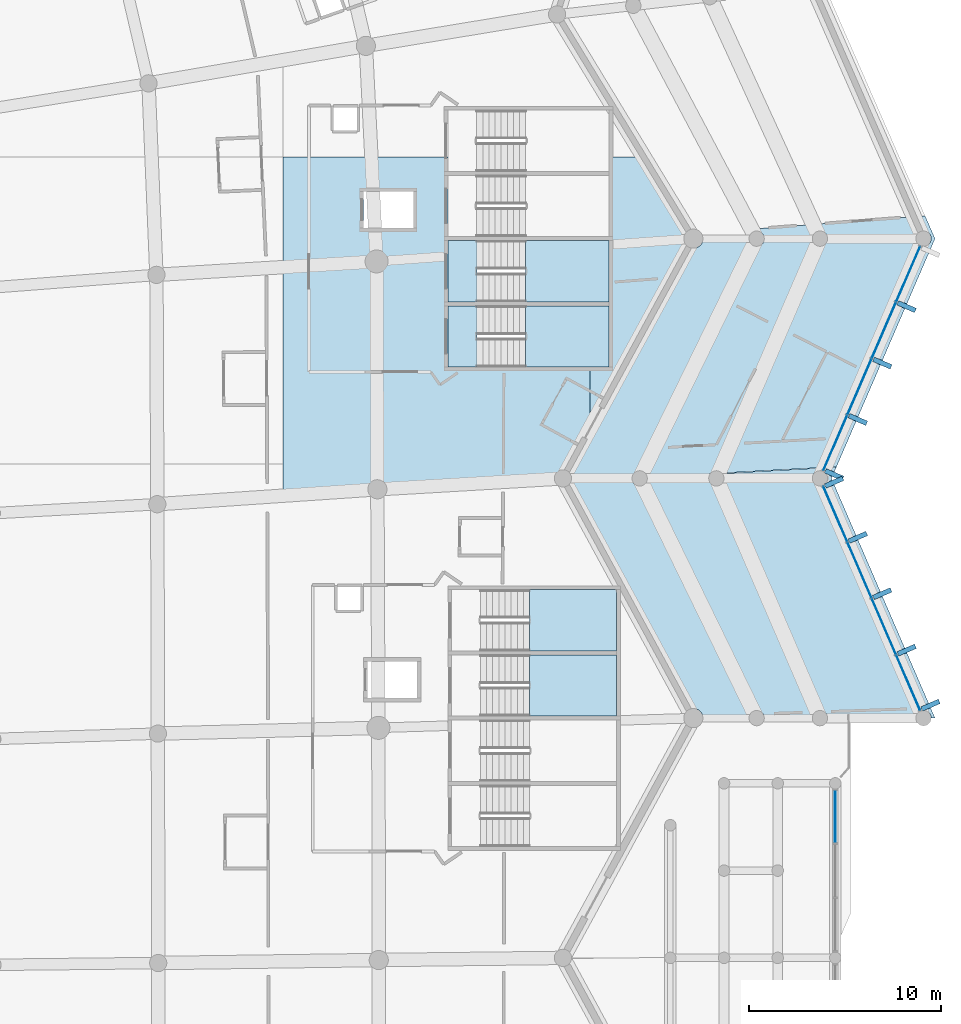
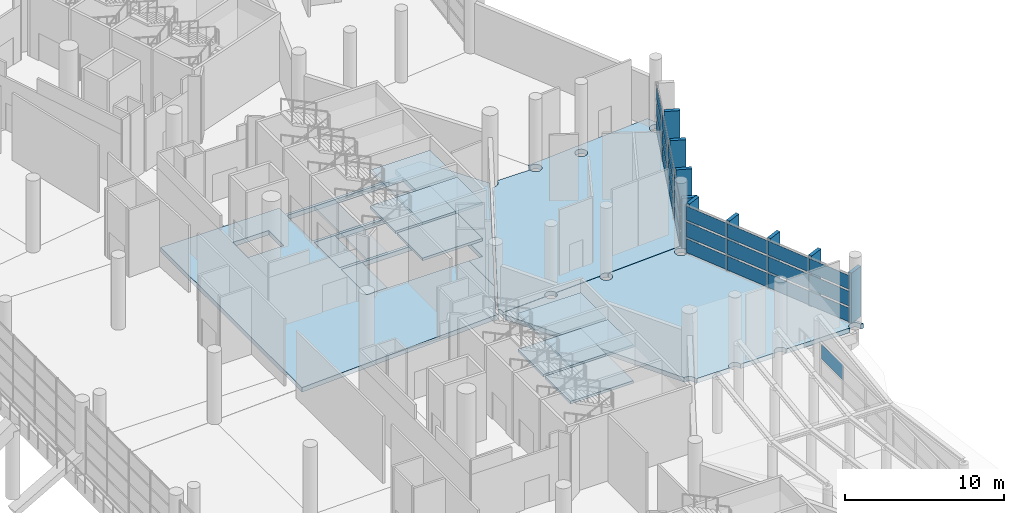
# One storey, part 150 of 271: 34 plates, 16 slabs, 7 elements without a shape of their own.
"""IFC4 building model written with IfcOpenShell, lengths in metres."""

import ifcopenshell
import ifcopenshell.guid

model = None  # the IFC model being written
_history = None  # IfcOwnerHistory: only IFC2X3 demands one
_inside = {}  # id of a spatial element -> (the spatial element, [elements in it])
_under = {}  # id of a project, library or spatial element -> (it, [spatial elements below it])
_declared = {}  # id of a project -> (the project, [libraries it declares])
_typed = {}  # id of a type object -> (the type object, [elements of that type])
_made_of = {}  # id of a material, layer set ... -> (it, [elements and type objects made of it])


def new_model(schema):
    """Start an empty IFC model of exactly this schema.

    Asked for "IFC4X3", IfcOpenShell would pick the latest addendum, in which some entities
    have other attributes; the version numbers below select the first issue.
    IFC2X3 requires an IfcOwnerHistory on every rooted entity: one is made here for all.
    """
    global model, _history
    if schema == "IFC4X3":
        model = ifcopenshell.file(schema_version=(4, 3, 0, 0))
    else:
        model = ifcopenshell.file(schema=schema)
    _inside.clear()
    _under.clear()
    _declared.clear()
    _typed.clear()
    _made_of.clear()
    _history = None
    if model.schema == "IFC2X3":
        org = make("IfcOrganization", Name="unknown")
        user = make(
            "IfcPersonAndOrganization",
            ThePerson=make("IfcPerson", FamilyName="unknown"),
            TheOrganization=org,
        )
        app = make(
            "IfcApplication",
            ApplicationDeveloper=org,
            Version="unknown",
            ApplicationFullName="unknown",
            ApplicationIdentifier="unknown",
        )
        _history = make(
            "IfcOwnerHistory",
            OwningUser=user,
            OwningApplication=app,
            ChangeAction="ADDED",
            CreationDate=0,
        )
    return model


def make(cls, **values):
    """One entity of the class cls with the attributes given. An attribute that is None is left unset."""
    return model.create_entity(
        cls, **{name: value for name, value in values.items() if value is not None}
    )


def rooted(cls, **values):
    """An entity with a GlobalId (a new one), such as an element, a storey or a relation."""
    return make(cls, GlobalId=ifcopenshell.guid.new(), OwnerHistory=_history, **values)


def si_unit(unit_type, name, prefix=None):
    """IfcSIUnit, for example si_unit("LENGTHUNIT", "METRE", prefix="MILLI")."""
    return make("IfcSIUnit", UnitType=unit_type, Prefix=prefix, Name=name)


def assignment(units):
    """IfcUnitAssignment: the units of a project."""
    return None if units is None else make("IfcUnitAssignment", Units=units)


def point(xyz):
    """IfcCartesianPoint."""
    return None if xyz is None else make("IfcCartesianPoint", Coordinates=xyz)


def direction(xyz):
    """IfcDirection."""
    return None if xyz is None else make("IfcDirection", DirectionRatios=xyz)


def frame(location, z_axis=None, x_axis=None):
    """IfcAxis2Placement3D, a coordinate frame: its origin and axes. An axis left out is left unset."""
    return make(
        "IfcAxis2Placement3D",
        Location=point(location),
        Axis=direction(z_axis),
        RefDirection=direction(x_axis),
    )


def frame_2d(location, x_axis=None):
    """IfcAxis2Placement2D, a coordinate frame in the plane: its origin and x axis."""
    return make(
        "IfcAxis2Placement2D", Location=point(location), RefDirection=direction(x_axis)
    )


def origin():
    """The frame at (0, 0, 0) with its axes left unset."""
    return frame((0.0, 0.0, 0.0))


def origin_2d():
    """The frame at (0, 0) in the plane with its x axis left unset."""
    return frame_2d((0.0, 0.0))


def place(relative_to, where):
    """IfcLocalPlacement: puts the frame where relative to a parent placement (None: the world)."""
    return make(
        "IfcLocalPlacement", PlacementRelTo=relative_to, RelativePlacement=where
    )


def context(
    kind, dimensions, precision=None, world=None, true_north=None, identifier=None
):
    """IfcGeometricRepresentationContext, for example the 3D "Model" context."""
    return make(
        "IfcGeometricRepresentationContext",
        ContextIdentifier=identifier,
        ContextType=kind,
        CoordinateSpaceDimension=dimensions,
        Precision=precision,
        WorldCoordinateSystem=world,
        TrueNorth=true_north,
    )


def subcontext(parent, identifier, kind, view, scale=None):
    """IfcGeometricRepresentationSubContext, for example "Body" below "Model"."""
    return make(
        "IfcGeometricRepresentationSubContext",
        ContextIdentifier=identifier,
        ContextType=kind,
        ParentContext=parent,
        TargetScale=scale,
        TargetView=view,
    )


def project(units=None, contexts=None):
    """IfcProject with its units and contexts."""
    return rooted(
        "IfcProject",
        Name="project",
        RepresentationContexts=contexts,
        UnitsInContext=assignment(units),
    )


def spatial(cls, under=None, at=None, **own):
    """A site, building, storey or space (cls), placed at a placement, below another one or the project."""
    s = rooted(cls, ObjectPlacement=at, **own)
    if under is not None:
        _under.setdefault(under.id(), (under, []))[1].append(s)
    return s


def polyline(points):
    """IfcPolyline through the points."""
    return make("IfcPolyline", Points=[point(p) for p in points])


def profile(cls, at=None, kind="AREA", **sizes):
    """A parametric profile (cls). Its sizes go by their IFC names, for example OverallWidth=200.0."""
    return make(cls, ProfileType=kind, Position=at, **sizes)


def rectangle(**sizes):
    """IfcRectangleProfileDef."""
    return profile("IfcRectangleProfileDef", **sizes)


def outline(outer, holes=None, kind="AREA"):
    """IfcArbitraryClosedProfileDef: a profile drawn as a closed curve; with holes, ...WithVoids."""
    if holes is None:
        return make("IfcArbitraryClosedProfileDef", ProfileType=kind, OuterCurve=outer)
    return make(
        "IfcArbitraryProfileDefWithVoids",
        ProfileType=kind,
        OuterCurve=outer,
        InnerCurves=holes,
    )


def extrude(swept, where, along, depth):
    """IfcExtrudedAreaSolid: the profile swept, set in the frame where, extruded along a direction by depth."""
    return make(
        "IfcExtrudedAreaSolid",
        SweptArea=swept,
        Position=where,
        ExtrudedDirection=direction(along),
        Depth=depth,
    )


def shape(context_of_items, identifier, shape_type, items):
    """IfcShapeRepresentation: the items that make up one representation, for example the "Body"."""
    return make(
        "IfcShapeRepresentation",
        ContextOfItems=context_of_items,
        RepresentationIdentifier=identifier,
        RepresentationType=shape_type,
        Items=items,
    )


def material(Name=None, Category=None):
    """IfcMaterial."""
    return make("IfcMaterial", Name=Name, Category=Category)


def layer(
    of_material, thickness, ventilated=None, Name=None, Category=None, Priority=None
):
    """IfcMaterialLayer: one layer of a wall or slab, of a material (None: an air gap)."""
    return make(
        "IfcMaterialLayer",
        Material=of_material,
        LayerThickness=thickness,
        IsVentilated=ventilated,
        Name=Name,
        Category=Category,
        Priority=Priority,
    )


def layer_set(layers, Name=None):
    """IfcMaterialLayerSet."""
    return make("IfcMaterialLayerSet", MaterialLayers=layers, LayerSetName=Name)


def made_of(thing, what):
    """Note that an element or type object is made of a material, layer set ...; save() writes the relation."""
    if what is not None:
        _made_of.setdefault(what.id(), (what, []))[1].append(thing)
    return thing


def type_object(cls, material=None, **own):
    """A type object (cls), such as IfcWallType, which elements share."""
    return made_of(rooted(cls, **own), material)


def element(
    cls,
    number,
    at=None,
    inside=None,
    cuts=None,
    type_object=None,
    material=None,
    context=None,
    identifier="Body",
    shape_type=None,
    held_by="IfcProductDefinitionShape",
    body=None,
    shapes=None,
    **own,
):
    """One element of the class cls, such as IfcWall. Its Tag is "e" and its number.

    at: its placement. inside: the storey or other place that contains it. cuts: it is an
    opening in that element (IfcRelVoidsElement). A single representation is given by context,
    identifier, shape_type and body (its items); several are given by shapes. held_by: the class
    of the entity that holds the representations. save() writes the other relations.
    """
    e = rooted(cls, Tag="e%d" % number, ObjectPlacement=at, **own)
    if body is not None:
        shapes = [shape(context, identifier, shape_type, body)]
    if shapes is not None:
        e.Representation = make(held_by, Representations=shapes)
    if inside is not None:
        _inside.setdefault(inside.id(), (inside, []))[1].append(e)
    if cuts is not None:
        rooted(
            "IfcRelVoidsElement", RelatingBuildingElement=cuts, RelatedOpeningElement=e
        )
    if type_object is not None:
        _typed.setdefault(type_object.id(), (type_object, []))[1].append(e)
    return made_of(e, material)


def aggregate(whole, parts):
    """IfcRelAggregates: a whole, such as a stair, and the parts it consists of."""
    return rooted("IfcRelAggregates", RelatingObject=whole, RelatedObjects=parts)


def save(model, path):
    """Write the relations noted so far, then the file.

    IfcRelAggregates (storeys below a building ...), IfcRelContainedInSpatialStructure (elements
    in a storey), IfcRelDefinesByType, IfcRelAssociatesMaterial and IfcRelDeclares: one each for
    every whole, place, type object, material and project.
    """
    for whole, parts in _under.values():
        aggregate(whole, parts)
    for where, things in _inside.values():
        rooted(
            "IfcRelContainedInSpatialStructure",
            RelatedElements=things,
            RelatingStructure=where,
        )
    for kind, things in _typed.values():
        rooted("IfcRelDefinesByType", RelatedObjects=things, RelatingType=kind)
    for what, things in _made_of.values():
        rooted("IfcRelAssociatesMaterial", RelatedObjects=things, RelatingMaterial=what)
    for by, libraries in _declared.values():
        rooted("IfcRelDeclares", RelatingContext=by, RelatedDefinitions=libraries)
    model.write(path)


model = new_model("IFC4")

# Units and contexts
model_context = context("Model", 3, precision=1e-05, world=origin(), true_north=direction((0.0, 1.0)))
body_context = subcontext(model_context, "Body", "Model", "MODEL_VIEW")
ifc_project = project(units=[si_unit("LENGTHUNIT", "METRE"), si_unit("AREAUNIT", "SQUARE_METRE"), si_unit("VOLUMEUNIT", "CUBIC_METRE"), si_unit("PLANEANGLEUNIT", "RADIAN"), si_unit("MASSUNIT", "GRAM", prefix="KILO")], contexts=[model_context])

# Site, building, storey
site_placement = place(None, origin())
site = spatial("IfcSite", under=ifc_project, at=site_placement, CompositionType="ELEMENT")
building_placement = place(site_placement, origin())
building = spatial("IfcBuilding", under=site, at=building_placement, Name="Meseta Stadium", CompositionType="ELEMENT")
storey_placement = place(building_placement, frame((0.0, 0.0, 6.5)))
storey = spatial("IfcBuildingStorey", under=building, at=storey_placement, Name="L01", CompositionType="ELEMENT", Elevation=6.5)

# Slabs
ifc_material_1 = material(Name="Concrete C40/50", Category="concrete")
ifc_layer_1 = layer(ifc_material_1, 0.35009765625)
ifc_layer_set_1 = layer_set([ifc_layer_1], Name="Floor slab 350")
slab_type_1 = type_object("IfcSlabType", Name="Floor slab 350", PredefinedType="FLOOR", material=ifc_layer_set_1)
slab_1_placement = place(storey_placement, frame((0.0, 0.0, -0.35009765625)))
element("IfcSlab", 1, at=slab_1_placement, inside=storey, type_object=slab_type_1, Name="Floor slab L01 sector 07 panel 14", PredefinedType="FLOOR", context=body_context, shape_type="SweptSolid", body=[
    extrude(outline(polyline([(96.0, 40.25), (96.0, 40.449951171875), (88.60009765625, 40.449951171875), (88.60009765625, 43.64990234375), (96.0, 43.64990234375), (96.0, 43.85009765625), (88.60009765625, 43.85009765625), (88.60009765625, 47.050048828125), (96.0, 47.050048828125), (96.0, 47.25), (88.60009765625, 47.25), (88.60009765625, 48.0), (80.0, 48.0), (80.0, 30.273193359375), (84.92578125, 30.543212890625), (94.693115234375, 31.07861328125), (94.60009765625, 31.25), (96.0, 33.823486328125), (96.0, 37.050048828125), (88.60009765625, 37.050048828125), (88.60009765625, 40.25), (96.0, 40.25)]), holes=[polyline([(86.800048828125, 46.199951171875), (86.800048828125, 44.300048828125), (84.199951171875, 44.300048828125), (84.199951171875, 46.199951171875), (86.800048828125, 46.199951171875)])]), origin(), (0.0, 0.0, 1.0), 0.35009765625),
])
slab_2_placement = place(storey_placement, frame((0.0, 0.0, -0.35009765625)))
element("IfcSlab", 2, at=slab_2_placement, inside=storey, type_object=slab_type_1, Name="Floor slab L01 sector 07 panel 17", PredefinedType="FLOOR", context=body_context, shape_type="SweptSolid", body=[
    extrude(outline(polyline([(96.0, 40.25), (97.0, 40.25), (97.0, 37.050048828125), (96.0, 37.050048828125), (96.0, 33.823486328125), (101.39990234375, 43.75), (98.81689453125, 48.0), (97.0, 48.0), (97.0, 47.25), (96.0, 47.25), (96.0, 47.050048828125), (97.0, 47.050048828125), (97.0, 43.85009765625), (96.0, 43.85009765625), (96.0, 43.64990234375), (97.0, 43.64990234375), (97.0, 40.449951171875), (96.0, 40.449951171875), (96.0, 40.25)])), origin(), (0.0, 0.0, 1.0), 0.35009765625),
])
slab_3_placement = place(storey_placement, frame((0.0, 0.0, -0.35009765625)))
element("IfcSlab", 3, at=slab_3_placement, inside=storey, type_object=slab_type_1, Name="Ring floor slab L01 1 part 1 panel 07", PredefinedType="FLOOR", context=body_context, shape_type="SweptSolid", body=[
    extrude(outline(polyline([(101.904296875, 43.75), (101.88720703125, 43.619384765625), (101.836669921875, 43.497802734375), (101.756591796875, 43.393310546875), (101.652099609375, 43.313232421875), (101.530517578125, 43.262939453125), (101.39990234375, 43.24560546875), (101.30322265625, 43.25830078125), (94.935302734375, 31.55224609375), (94.9931640625, 31.476806640625), (95.038330078125, 31.367431640625), (95.053955078125, 31.25), (95.038330078125, 31.132568359375), (95.023681640625, 31.0966796875), (98.19921875, 31.27099609375), (98.210205078125, 31.3544921875), (98.25048828125, 31.45166015625), (98.314697265625, 31.535400390625), (98.398193359375, 31.599365234375), (98.49560546875, 31.6396484375), (98.60009765625, 31.653564453125), (98.704345703125, 31.6396484375), (98.8017578125, 31.599365234375), (98.88525390625, 31.535400390625), (98.949462890625, 31.45166015625), (98.98974609375, 31.3544921875), (98.9951171875, 31.314697265625), (102.28369140625, 31.494873046875), (102.314697265625, 31.535400390625), (102.398193359375, 31.599365234375), (102.49560546875, 31.6396484375), (102.60009765625, 31.653564453125), (102.704345703125, 31.6396484375), (102.8017578125, 31.599365234375), (102.88525390625, 31.535400390625), (102.890869140625, 31.5283203125), (108.861572265625, 31.85546875), (114.0, 43.75), (113.480712890625, 44.938232421875), (104.438232421875, 44.244140625), (104.511962890625, 44.10498046875), (104.595703125, 44.1396484375), (104.699951171875, 44.153564453125), (104.804443359375, 44.1396484375), (104.901611328125, 44.099365234375), (104.9853515625, 44.035400390625), (105.04931640625, 43.95166015625), (105.089599609375, 43.8544921875), (105.103515625, 43.75), (105.089599609375, 43.6455078125), (105.04931640625, 43.54833984375), (104.9853515625, 43.464599609375), (104.901611328125, 43.400634765625), (104.804443359375, 43.3603515625), (104.699951171875, 43.346435546875), (104.595703125, 43.3603515625), (104.498291015625, 43.400634765625), (104.414794921875, 43.464599609375), (104.3505859375, 43.54833984375), (104.310302734375, 43.6455078125), (104.29638671875, 43.75), (101.904296875, 43.75)]), holes=[polyline([(113.11474609375, 44.035400390625), (113.1982421875, 44.099365234375), (113.295654296875, 44.1396484375), (113.39990234375, 44.153564453125), (113.50439453125, 44.1396484375), (113.601806640625, 44.099365234375), (113.685302734375, 44.035400390625), (113.74951171875, 43.95166015625), (113.789794921875, 43.8544921875), (113.803466796875, 43.75), (113.789794921875, 43.6455078125), (113.74951171875, 43.54833984375), (113.685302734375, 43.464599609375), (113.601806640625, 43.400634765625), (113.50439453125, 43.3603515625), (113.39990234375, 43.346435546875), (113.295654296875, 43.3603515625), (113.1982421875, 43.400634765625), (113.11474609375, 43.464599609375), (113.050537109375, 43.54833984375), (113.01025390625, 43.6455078125), (112.99658203125, 43.75), (113.01025390625, 43.8544921875), (113.050537109375, 43.95166015625), (113.11474609375, 44.035400390625)]), polyline([(108.20166015625, 44.099365234375), (108.285400390625, 44.035400390625), (108.349365234375, 43.95166015625), (108.3896484375, 43.8544921875), (108.403564453125, 43.75), (108.3896484375, 43.6455078125), (108.349365234375, 43.54833984375), (108.285400390625, 43.464599609375), (108.20166015625, 43.400634765625), (108.1044921875, 43.3603515625), (108.0, 43.346435546875), (107.8955078125, 43.3603515625), (107.79833984375, 43.400634765625), (107.714599609375, 43.464599609375), (107.650634765625, 43.54833984375), (107.6103515625, 43.6455078125), (107.596435546875, 43.75), (107.6103515625, 43.8544921875), (107.650634765625, 43.95166015625), (107.714599609375, 44.035400390625), (107.79833984375, 44.099365234375), (107.8955078125, 44.1396484375), (108.0, 44.153564453125), (108.1044921875, 44.1396484375), (108.20166015625, 44.099365234375)])]), origin(), (0.0, 0.0, 1.0), 0.35009765625),
])
slab_4_placement = place(storey_placement, frame((0.0, 0.0, -0.35009765625)))
element("IfcSlab", 4, at=slab_4_placement, inside=storey, type_object=slab_type_1, Name="Ring floor slab L01 1 part 2", PredefinedType="FLOOR", context=body_context, shape_type="SweptSolid", body=[
    extrude(outline(polyline([(108.60009765625, 31.25), (108.852783203125, 31.8349609375), (102.905517578125, 31.5087890625), (102.949462890625, 31.45166015625), (102.98974609375, 31.3544921875), (103.00341796875, 31.25), (102.98974609375, 31.1455078125), (102.949462890625, 31.04833984375), (102.88525390625, 30.964599609375), (102.8017578125, 30.900634765625), (102.704345703125, 30.8603515625), (102.60009765625, 30.846435546875), (102.49560546875, 30.8603515625), (102.398193359375, 30.900634765625), (102.314697265625, 30.964599609375), (102.25048828125, 31.04833984375), (102.210205078125, 31.1455078125), (102.196533203125, 31.25), (102.210205078125, 31.3544921875), (102.25048828125, 31.45166015625), (102.267578125, 31.47412109375), (98.99755859375, 31.294677734375), (99.00341796875, 31.25), (98.98974609375, 31.1455078125), (98.949462890625, 31.04833984375), (98.88525390625, 30.964599609375), (98.8017578125, 30.900634765625), (98.704345703125, 30.8603515625), (98.60009765625, 30.846435546875), (98.49560546875, 30.8603515625), (98.398193359375, 30.900634765625), (98.314697265625, 30.964599609375), (98.25048828125, 31.04833984375), (98.210205078125, 31.1455078125), (98.196533203125, 31.25), (98.196533203125, 31.250732421875), (95.01513671875, 31.076416015625), (94.9931640625, 31.023193359375), (94.935302734375, 30.94775390625), (101.30322265625, 19.24169921875), (101.39990234375, 19.25439453125), (101.530517578125, 19.237060546875), (101.652099609375, 19.186767578125), (101.756591796875, 19.106689453125), (101.836669921875, 19.002197265625), (101.88720703125, 18.880615234375), (101.904296875, 18.75), (104.29638671875, 18.75), (104.310302734375, 18.8544921875), (104.3505859375, 18.95166015625), (104.414794921875, 19.035400390625), (104.498291015625, 19.099365234375), (104.595703125, 19.1396484375), (104.699951171875, 19.153564453125), (104.804443359375, 19.1396484375), (104.901611328125, 19.099365234375), (104.9853515625, 19.035400390625), (105.04931640625, 18.95166015625), (105.089599609375, 18.8544921875), (105.103515625, 18.75), (107.596435546875, 18.75), (107.6103515625, 18.8544921875), (107.650634765625, 18.95166015625), (107.714599609375, 19.035400390625), (107.79833984375, 19.099365234375), (107.8955078125, 19.1396484375), (108.0, 19.153564453125), (108.1044921875, 19.1396484375), (108.20166015625, 19.099365234375), (108.285400390625, 19.035400390625), (108.349365234375, 18.95166015625), (108.3896484375, 18.8544921875), (108.403564453125, 18.75), (112.99658203125, 18.75), (113.01025390625, 18.8544921875), (113.050537109375, 18.95166015625), (113.11474609375, 19.035400390625), (113.1982421875, 19.099365234375), (113.295654296875, 19.1396484375), (113.39990234375, 19.153564453125), (113.50439453125, 19.1396484375), (113.601806640625, 19.099365234375), (113.685302734375, 19.035400390625), (113.74951171875, 18.95166015625), (113.789794921875, 18.8544921875), (113.803466796875, 18.75), (114.0, 18.75), (108.60009765625, 31.25)]), holes=[polyline([(107.8955078125, 30.8603515625), (107.79833984375, 30.900634765625), (107.714599609375, 30.964599609375), (107.650634765625, 31.04833984375), (107.6103515625, 31.1455078125), (107.596435546875, 31.25), (107.6103515625, 31.3544921875), (107.650634765625, 31.45166015625), (107.714599609375, 31.535400390625), (107.79833984375, 31.599365234375), (107.8955078125, 31.6396484375), (108.0, 31.653564453125), (108.1044921875, 31.6396484375), (108.20166015625, 31.599365234375), (108.285400390625, 31.535400390625), (108.349365234375, 31.45166015625), (108.3896484375, 31.3544921875), (108.403564453125, 31.25), (108.3896484375, 31.1455078125), (108.349365234375, 31.04833984375), (108.285400390625, 30.964599609375), (108.20166015625, 30.900634765625), (108.1044921875, 30.8603515625), (108.0, 30.846435546875), (107.8955078125, 30.8603515625)])]), origin(), (0.0, 0.0, 1.0), 0.35009765625),
])

# Curtain wall, plates
ifc_material_2 = material(Name="Aluminium", Category="aluminium")
ifc_layer_2 = layer(ifc_material_2, 0.199951171875)
ifc_layer_set_2 = layer_set([ifc_layer_2], Name="Ring shopfront curtain wall")
curtain_wall_type_1 = type_object("IfcCurtainWallType", Name="Ring shopfront curtain wall", PredefinedType="NOTDEFINED", material=ifc_layer_set_2)
curtain_wall_1_placement = place(storey_placement, origin())
curtain_wall_1 = element("IfcCurtainWall", 5, at=curtain_wall_1_placement, inside=storey, type_object=curtain_wall_type_1, Name="Ring glazing L01 F06", PredefinedType="NOTDEFINED")
ifc_material_3 = material(Name="Glass", Category="glass")
ifc_layer_3 = layer(ifc_material_3, 0.035888671875)
ifc_layer_set_3 = layer_set([ifc_layer_3], Name="Ring CW glass panel 36")
plate_type_1 = type_object("IfcPlateType", Name="Ring CW glass panel 36", PredefinedType="CURTAIN_PANEL", material=ifc_layer_set_3)
plate_1_placement = place(storey_placement, frame((112.60009765625, 20.6015625, 0.14990234375), z_axis=(0.0, 0.0, 1.0), x_axis=(-0.396580687073, 0.91799986854, 0.0)))
plate_1 = element("IfcPlate", 6, at=plate_1_placement, type_object=plate_type_1, Name="CWR1 panel 1.1", PredefinedType="CURTAIN_PANEL", context=body_context, shape_type="SweptSolid", body=[
    extrude(rectangle(XDim=3.1142578125, YDim=0.035888671875, at=origin_2d()), origin(), (0.0, 0.0, 1.0), 1.058349609375),
])
plate_2_placement = place(storey_placement, frame((112.60009765625, 20.6015625, 1.3583984375), z_axis=(0.0, 0.0, 1.0), x_axis=(-0.396580687073, 0.91799986854, 0.0)))
plate_2 = element("IfcPlate", 7, at=plate_2_placement, type_object=plate_type_1, Name="CWR1 panel 1.2", PredefinedType="CURTAIN_PANEL", context=body_context, shape_type="SweptSolid", body=[
    extrude(rectangle(XDim=3.1142578125, YDim=0.035888671875, at=origin_2d()), origin(), (0.0, 0.0, 1.0), 1.13330078125),
])
plate_3_placement = place(storey_placement, frame((112.60009765625, 20.6015625, 2.6416015625), z_axis=(0.0, 0.0, 1.0), x_axis=(-0.396580687073, 0.91799986854, 0.0)))
plate_3 = element("IfcPlate", 8, at=plate_3_placement, type_object=plate_type_1, Name="CWR1 panel 1.3", PredefinedType="CURTAIN_PANEL", context=body_context, shape_type="SweptSolid", body=[
    extrude(rectangle(XDim=3.1142578125, YDim=0.035888671875, at=origin_2d()), origin(), (0.0, 0.0, 1.0), 1.058349609375),
])
plate_4_placement = place(storey_placement, frame((111.33544921875, 23.529296875, 0.14990234375), z_axis=(0.0, 0.0, 1.0), x_axis=(-0.396580687073, 0.91799986854, 0.0)))
plate_4 = element("IfcPlate", 9, at=plate_4_placement, type_object=plate_type_1, Name="CWR1 panel 2.1", PredefinedType="CURTAIN_PANEL", context=body_context, shape_type="SweptSolid", body=[
    extrude(rectangle(XDim=3.14404296875, YDim=0.035888671875, at=origin_2d()), origin(), (0.0, 0.0, 1.0), 1.058349609375),
])
plate_5_placement = place(storey_placement, frame((111.33544921875, 23.529296875, 1.3583984375), z_axis=(0.0, 0.0, 1.0), x_axis=(-0.396580687073, 0.91799986854, 0.0)))
plate_5 = element("IfcPlate", 10, at=plate_5_placement, type_object=plate_type_1, Name="CWR1 panel 2.2", PredefinedType="CURTAIN_PANEL", context=body_context, shape_type="SweptSolid", body=[
    extrude(rectangle(XDim=3.14404296875, YDim=0.035888671875, at=origin_2d()), origin(), (0.0, 0.0, 1.0), 1.13330078125),
])
plate_6_placement = place(storey_placement, frame((111.33544921875, 23.529296875, 2.6416015625), z_axis=(0.0, 0.0, 1.0), x_axis=(-0.396580687073, 0.91799986854, 0.0)))
plate_6 = element("IfcPlate", 11, at=plate_6_placement, type_object=plate_type_1, Name="CWR1 panel 2.3", PredefinedType="CURTAIN_PANEL", context=body_context, shape_type="SweptSolid", body=[
    extrude(rectangle(XDim=3.14404296875, YDim=0.035888671875, at=origin_2d()), origin(), (0.0, 0.0, 1.0), 1.058349609375),
])
plate_7_placement = place(storey_placement, frame((110.064697265625, 26.470703125, 0.14990234375), z_axis=(0.0, 0.0, 1.0), x_axis=(-0.396580687073, 0.91799986854, 0.0)))
plate_7 = element("IfcPlate", 12, at=plate_7_placement, type_object=plate_type_1, Name="CWR1 panel 3.1", PredefinedType="CURTAIN_PANEL", context=body_context, shape_type="SweptSolid", body=[
    extrude(rectangle(XDim=3.14404296875, YDim=0.035888671875, at=origin_2d()), origin(), (0.0, 0.0, 1.0), 1.058349609375),
])
plate_8_placement = place(storey_placement, frame((110.064697265625, 26.470703125, 1.3583984375), z_axis=(0.0, 0.0, 1.0), x_axis=(-0.396580687073, 0.91799986854, 0.0)))
plate_8 = element("IfcPlate", 13, at=plate_8_placement, type_object=plate_type_1, Name="CWR1 panel 3.2", PredefinedType="CURTAIN_PANEL", context=body_context, shape_type="SweptSolid", body=[
    extrude(rectangle(XDim=3.14404296875, YDim=0.035888671875, at=origin_2d()), origin(), (0.0, 0.0, 1.0), 1.13330078125),
])
plate_9_placement = place(storey_placement, frame((110.064697265625, 26.470703125, 2.6416015625), z_axis=(0.0, 0.0, 1.0), x_axis=(-0.396580687073, 0.91799986854, 0.0)))
plate_9 = element("IfcPlate", 14, at=plate_9_placement, type_object=plate_type_1, Name="CWR1 panel 3.3", PredefinedType="CURTAIN_PANEL", context=body_context, shape_type="SweptSolid", body=[
    extrude(rectangle(XDim=3.14404296875, YDim=0.035888671875, at=origin_2d()), origin(), (0.0, 0.0, 1.0), 1.058349609375),
])
plate_10_placement = place(storey_placement, frame((108.7998046875, 29.3984375, 0.14990234375), z_axis=(0.0, 0.0, 1.0), x_axis=(-0.396580687073, 0.91799986854, 0.0)))
plate_10 = element("IfcPlate", 15, at=plate_10_placement, type_object=plate_type_1, Name="CWR1 panel 4.1", PredefinedType="CURTAIN_PANEL", context=body_context, shape_type="SweptSolid", body=[
    extrude(rectangle(XDim=3.1142578125, YDim=0.035888671875, at=origin_2d()), origin(), (0.0, 0.0, 1.0), 1.058349609375),
])
plate_11_placement = place(storey_placement, frame((108.7998046875, 29.3984375, 1.3583984375), z_axis=(0.0, 0.0, 1.0), x_axis=(-0.396580687073, 0.91799986854, 0.0)))
plate_11 = element("IfcPlate", 16, at=plate_11_placement, type_object=plate_type_1, Name="CWR1 panel 4.2", PredefinedType="CURTAIN_PANEL", context=body_context, shape_type="SweptSolid", body=[
    extrude(rectangle(XDim=3.1142578125, YDim=0.035888671875, at=origin_2d()), origin(), (0.0, 0.0, 1.0), 1.13330078125),
])
plate_12_placement = place(storey_placement, frame((108.7998046875, 29.3984375, 2.6416015625), z_axis=(0.0, 0.0, 1.0), x_axis=(-0.396580687073, 0.91799986854, 0.0)))
plate_12 = element("IfcPlate", 17, at=plate_12_placement, type_object=plate_type_1, Name="CWR1 panel 4.3", PredefinedType="CURTAIN_PANEL", context=body_context, shape_type="SweptSolid", body=[
    extrude(rectangle(XDim=3.1142578125, YDim=0.035888671875, at=origin_2d()), origin(), (0.0, 0.0, 1.0), 1.058349609375),
])
aggregate(curtain_wall_1, [plate_1, plate_2, plate_3, plate_4, plate_5, plate_6, plate_7, plate_8, plate_9, plate_10, plate_11, plate_12])

curtain_wall_2_placement = place(storey_placement, origin())
curtain_wall_2 = element("IfcCurtainWall", 18, at=curtain_wall_2_placement, inside=storey, type_object=curtain_wall_type_1, Name="Ring glazing L01 F07", PredefinedType="NOTDEFINED")
plate_13_placement = place(storey_placement, frame((108.7998046875, 33.1015625, 0.14990234375), z_axis=(0.0, 0.0, 1.0), x_axis=(0.396580687073, 0.91799986854, 0.0)))
plate_13 = element("IfcPlate", 19, at=plate_13_placement, type_object=plate_type_1, Name="CWR1 panel 1.1", PredefinedType="CURTAIN_PANEL", context=body_context, shape_type="SweptSolid", body=[
    extrude(rectangle(XDim=3.1142578125, YDim=0.035888671875, at=origin_2d()), origin(), (0.0, 0.0, 1.0), 1.058349609375),
])
plate_14_placement = place(storey_placement, frame((108.7998046875, 33.1015625, 1.3583984375), z_axis=(0.0, 0.0, 1.0), x_axis=(0.396580687073, 0.91799986854, 0.0)))
plate_14 = element("IfcPlate", 20, at=plate_14_placement, type_object=plate_type_1, Name="CWR1 panel 1.2", PredefinedType="CURTAIN_PANEL", context=body_context, shape_type="SweptSolid", body=[
    extrude(rectangle(XDim=3.1142578125, YDim=0.035888671875, at=origin_2d()), origin(), (0.0, 0.0, 1.0), 1.13330078125),
])
plate_15_placement = place(storey_placement, frame((108.7998046875, 33.1015625, 2.6416015625), z_axis=(0.0, 0.0, 1.0), x_axis=(0.396580687073, 0.91799986854, 0.0)))
plate_15 = element("IfcPlate", 21, at=plate_15_placement, type_object=plate_type_1, Name="CWR1 panel 1.3", PredefinedType="CURTAIN_PANEL", context=body_context, shape_type="SweptSolid", body=[
    extrude(rectangle(XDim=3.1142578125, YDim=0.035888671875, at=origin_2d()), origin(), (0.0, 0.0, 1.0), 1.058349609375),
])
plate_16_placement = place(storey_placement, frame((110.064697265625, 36.029296875, 0.14990234375), z_axis=(0.0, 0.0, 1.0), x_axis=(0.396580687073, 0.91799986854, 0.0)))
plate_16 = element("IfcPlate", 22, at=plate_16_placement, type_object=plate_type_1, Name="CWR1 panel 2.1", PredefinedType="CURTAIN_PANEL", context=body_context, shape_type="SweptSolid", body=[
    extrude(rectangle(XDim=3.14404296875, YDim=0.035888671875, at=origin_2d()), origin(), (0.0, 0.0, 1.0), 1.058349609375),
])
plate_17_placement = place(storey_placement, frame((110.064697265625, 36.029296875, 1.3583984375), z_axis=(0.0, 0.0, 1.0), x_axis=(0.396580687073, 0.91799986854, 0.0)))
plate_17 = element("IfcPlate", 23, at=plate_17_placement, type_object=plate_type_1, Name="CWR1 panel 2.2", PredefinedType="CURTAIN_PANEL", context=body_context, shape_type="SweptSolid", body=[
    extrude(rectangle(XDim=3.14404296875, YDim=0.035888671875, at=origin_2d()), origin(), (0.0, 0.0, 1.0), 1.13330078125),
])
plate_18_placement = place(storey_placement, frame((110.064697265625, 36.029296875, 2.6416015625), z_axis=(0.0, 0.0, 1.0), x_axis=(0.396580687073, 0.91799986854, 0.0)))
plate_18 = element("IfcPlate", 24, at=plate_18_placement, type_object=plate_type_1, Name="CWR1 panel 2.3", PredefinedType="CURTAIN_PANEL", context=body_context, shape_type="SweptSolid", body=[
    extrude(rectangle(XDim=3.14404296875, YDim=0.035888671875, at=origin_2d()), origin(), (0.0, 0.0, 1.0), 1.058349609375),
])
plate_19_placement = place(storey_placement, frame((111.33544921875, 38.970703125, 0.14990234375), z_axis=(0.0, 0.0, 1.0), x_axis=(0.396580687073, 0.91799986854, 0.0)))
plate_19 = element("IfcPlate", 25, at=plate_19_placement, type_object=plate_type_1, Name="CWR1 panel 3.1", PredefinedType="CURTAIN_PANEL", context=body_context, shape_type="SweptSolid", body=[
    extrude(rectangle(XDim=3.14404296875, YDim=0.035888671875, at=origin_2d()), origin(), (0.0, 0.0, 1.0), 1.058349609375),
])
plate_20_placement = place(storey_placement, frame((111.33544921875, 38.970703125, 1.3583984375), z_axis=(0.0, 0.0, 1.0), x_axis=(0.396580687073, 0.91799986854, 0.0)))
plate_20 = element("IfcPlate", 26, at=plate_20_placement, type_object=plate_type_1, Name="CWR1 panel 3.2", PredefinedType="CURTAIN_PANEL", context=body_context, shape_type="SweptSolid", body=[
    extrude(rectangle(XDim=3.14404296875, YDim=0.035888671875, at=origin_2d()), origin(), (0.0, 0.0, 1.0), 1.13330078125),
])
plate_21_placement = place(storey_placement, frame((111.33544921875, 38.970703125, 2.6416015625), z_axis=(0.0, 0.0, 1.0), x_axis=(0.396580687073, 0.91799986854, 0.0)))
plate_21 = element("IfcPlate", 27, at=plate_21_placement, type_object=plate_type_1, Name="CWR1 panel 3.3", PredefinedType="CURTAIN_PANEL", context=body_context, shape_type="SweptSolid", body=[
    extrude(rectangle(XDim=3.14404296875, YDim=0.035888671875, at=origin_2d()), origin(), (0.0, 0.0, 1.0), 1.058349609375),
])
plate_22_placement = place(storey_placement, frame((112.60009765625, 41.8984375, 0.14990234375), z_axis=(0.0, 0.0, 1.0), x_axis=(0.396580687073, 0.91799986854, 0.0)))
plate_22 = element("IfcPlate", 28, at=plate_22_placement, type_object=plate_type_1, Name="CWR1 panel 4.1", PredefinedType="CURTAIN_PANEL", context=body_context, shape_type="SweptSolid", body=[
    extrude(rectangle(XDim=3.1142578125, YDim=0.035888671875, at=origin_2d()), origin(), (0.0, 0.0, 1.0), 1.058349609375),
])
plate_23_placement = place(storey_placement, frame((112.60009765625, 41.8984375, 1.3583984375), z_axis=(0.0, 0.0, 1.0), x_axis=(0.396580687073, 0.91799986854, 0.0)))
plate_23 = element("IfcPlate", 29, at=plate_23_placement, type_object=plate_type_1, Name="CWR1 panel 4.2", PredefinedType="CURTAIN_PANEL", context=body_context, shape_type="SweptSolid", body=[
    extrude(rectangle(XDim=3.1142578125, YDim=0.035888671875, at=origin_2d()), origin(), (0.0, 0.0, 1.0), 1.13330078125),
])
plate_24_placement = place(storey_placement, frame((112.60009765625, 41.8984375, 2.6416015625), z_axis=(0.0, 0.0, 1.0), x_axis=(0.396580687073, 0.91799986854, 0.0)))
plate_24 = element("IfcPlate", 30, at=plate_24_placement, type_object=plate_type_1, Name="CWR1 panel 4.3", PredefinedType="CURTAIN_PANEL", context=body_context, shape_type="SweptSolid", body=[
    extrude(rectangle(XDim=3.1142578125, YDim=0.035888671875, at=origin_2d()), origin(), (0.0, 0.0, 1.0), 1.058349609375),
])
aggregate(curtain_wall_2, [plate_13, plate_14, plate_15, plate_16, plate_17, plate_18, plate_19, plate_20, plate_21, plate_22, plate_23, plate_24])

# Curtain wall, plate
ifc_material_4 = material(Name="Aluminium", Category="aluminium")
ifc_layer_4 = layer(ifc_material_4, 0.199951171875)
ifc_layer_set_4 = layer_set([ifc_layer_4], Name="Gate hall curtain wall")
curtain_wall_type_2 = type_object("IfcCurtainWallType", Name="Gate hall curtain wall", PredefinedType="NOTDEFINED", material=ifc_layer_set_4)
curtain_wall_3_placement = place(storey_placement, origin())
curtain_wall_3 = element("IfcCurtainWall", 31, at=curtain_wall_3_placement, inside=storey, type_object=curtain_wall_type_2, Name="Gate 1 hall glazing", PredefinedType="NOTDEFINED")
plate_25_placement = place(storey_placement, frame((108.800048828125, 13.618408203125, 1.423095703125), z_axis=(0.0, 0.0, 1.0), x_axis=(0.0, -1.0, 0.0)))
plate_25 = element("IfcPlate", 32, at=plate_25_placement, type_object=plate_type_1, Name="CWG1 panel 1.2", PredefinedType="CURTAIN_PANEL", context=body_context, shape_type="SweptSolid", body=[
    extrude(rectangle(XDim=2.743408203125, YDim=0.035888671875, at=origin_2d()), origin(), (0.0, 0.0, 1.0), 1.123046875),
])
aggregate(curtain_wall_3, [plate_25])

# Plates
ifc_material_5 = material(Name="Precast concrete C40/50", Category="concrete")
ifc_layer_5 = layer(ifc_material_5, 0.25)
ifc_layer_set_5 = layer_set([ifc_layer_5], Name="Ring brise-soleil fin 250x1000")
plate_type_2 = type_object("IfcPlateType", Name="Ring brise-soleil fin 250x1000", PredefinedType="USERDEFINED", material=ifc_layer_set_5)
for number, where, z_axis, x_axis, name in (
    (33, (113.762451171875, 19.424072265625, 0.0), (0.0, 0.0, 1.0), (-0.396575976693, 0.918001903435, 0.0), "Brise-soleil fin L01 F06.1"),
    (34, (112.521484375, 22.29638671875, 0.0), (0.0, 0.0, 1.0), (-0.396575976693, 0.918001903435, 0.0), "Brise-soleil fin L01 F06.2"),
    (35, (111.250732421875, 25.23779296875, 0.0), (0.0, 0.0, 1.0), (-0.396575976693, 0.918001903435, 0.0), "Brise-soleil fin L01 F06.3"),
    (36, (109.97998046875, 28.17919921875, 0.0), (0.0, 0.0, 1.0), (-0.396575976693, 0.918001903435, 0.0), "Brise-soleil fin L01 F06.4"),
    (37, (108.7392578125, 31.052001953125, 0.0), (0.0, 0.0, 1.0), (-0.396575976693, 0.918001903435, 0.0), "Brise-soleil fin L01 F06.5"),
    (38, (108.7392578125, 31.447998046875, 0.0), (0.0, 0.0, 1.0), (0.396575976693, 0.918001903435, 0.0), "Brise-soleil fin L01 F07.1"),
    (39, (109.97998046875, 34.32080078125, 0.0), (0.0, 0.0, 1.0), (0.396575976693, 0.918001903435, 0.0), "Brise-soleil fin L01 F07.2"),
    (40, (111.250732421875, 37.26220703125, 0.0), (0.0, 0.0, 1.0), (0.396575976693, 0.918001903435, 0.0), "Brise-soleil fin L01 F07.3"),
    (41, (112.521484375, 40.20361328125, 0.0), (0.0, 0.0, 1.0), (0.396575976693, 0.918001903435, 0.0), "Brise-soleil fin L01 F07.4"),
):
    element("IfcPlate", number, at=place(storey_placement, frame(where, z_axis=z_axis, x_axis=x_axis)), inside=storey, type_object=plate_type_2, Name=name, ObjectType="FIN", PredefinedType="USERDEFINED", context=body_context, shape_type="SweptSolid", body=[
        extrude(rectangle(XDim=0.25, YDim=1.0, at=origin_2d()), origin(), (0.0, 0.0, 1.0), 3.85009765625),
    ])

# Stair, slabs
ifc_material_6 = material(Name="Concrete C40/50", Category="concrete")
stair_type = type_object("IfcStairType", Name="Exit stair 4 flights 153 mm risers", PredefinedType="HALF_TURN_STAIR", material=ifc_material_6)
stair_1_placement = place(storey_placement, origin())
stair_1 = element("IfcStair", 42, at=stair_1_placement, inside=storey, type_object=stair_type, Name="ST15 L01", PredefinedType="HALF_TURN_STAIR")
ifc_material_7 = material(Name="Concrete C40/50", Category="concrete")
ifc_layer_6 = layer(ifc_material_7, 0.199951171875)
ifc_layer_set_6 = layer_set([ifc_layer_6], Name="Stair landing 200")
slab_type_2 = type_object("IfcSlabType", Name="Stair landing 200", PredefinedType="LANDING", material=ifc_layer_set_6)
slab_5_placement = place(storey_placement, frame((0.0, 0.0, 1.175048828125)))
slab_5 = element("IfcSlab", 43, at=slab_5_placement, type_object=slab_type_2, Name="ST15 L01 landing 1", PredefinedType="LANDING", context=body_context, shape_type="SweptSolid", body=[
    extrude(outline(polyline([(92.85009765625, 18.85009765625), (97.39990234375, 18.85009765625), (97.39990234375, 22.050048828125), (92.85009765625, 22.050048828125), (92.85009765625, 18.85009765625)])), origin(), (0.0, 0.0, 1.0), 0.199951171875),
])
slab_6_placement = place(storey_placement, frame((0.0, 0.0, 3.925048828125)))
slab_6 = element("IfcSlab", 44, at=slab_6_placement, type_object=slab_type_2, Name="ST15 L01 landing 3", PredefinedType="LANDING", context=body_context, shape_type="SweptSolid", body=[
    extrude(outline(polyline([(92.85009765625, 18.85009765625), (97.39990234375, 18.85009765625), (97.39990234375, 22.050048828125), (92.85009765625, 22.050048828125), (92.85009765625, 18.85009765625)])), origin(), (0.0, 0.0, 1.0), 0.199951171875),
])
aggregate(stair_1, [slab_5, slab_6])

stair_2_placement = place(storey_placement, origin())
stair_2 = element("IfcStair", 45, at=stair_2_placement, inside=storey, type_object=stair_type, Name="ST16 L01", PredefinedType="HALF_TURN_STAIR")
slab_7_placement = place(storey_placement, frame((0.0, 0.0, 1.175048828125)))
slab_7 = element("IfcSlab", 46, at=slab_7_placement, type_object=slab_type_2, Name="ST16 L01 landing 1", PredefinedType="LANDING", context=body_context, shape_type="SweptSolid", body=[
    extrude(outline(polyline([(92.85009765625, 22.25), (97.39990234375, 22.25), (97.39990234375, 25.449951171875), (92.85009765625, 25.449951171875), (92.85009765625, 22.25)])), origin(), (0.0, 0.0, 1.0), 0.199951171875),
])
slab_8_placement = place(storey_placement, frame((0.0, 0.0, 3.925048828125)))
slab_8 = element("IfcSlab", 47, at=slab_8_placement, type_object=slab_type_2, Name="ST16 L01 landing 3", PredefinedType="LANDING", context=body_context, shape_type="SweptSolid", body=[
    extrude(outline(polyline([(92.85009765625, 22.25), (97.39990234375, 22.25), (97.39990234375, 25.449951171875), (92.85009765625, 25.449951171875), (92.85009765625, 22.25)])), origin(), (0.0, 0.0, 1.0), 0.199951171875),
])
aggregate(stair_2, [slab_7, slab_8])

stair_3_placement = place(storey_placement, origin())
stair_3 = element("IfcStair", 48, at=stair_3_placement, inside=storey, type_object=stair_type, Name="ST17 L01", PredefinedType="HALF_TURN_STAIR")
slab_9_placement = place(storey_placement, frame((0.0, 0.0, 1.175048828125)))
slab_9 = element("IfcSlab", 49, at=slab_9_placement, type_object=slab_type_2, Name="ST17 L01 landing 1", PredefinedType="LANDING", context=body_context, shape_type="SweptSolid", body=[
    extrude(outline(polyline([(92.64990234375, 37.050048828125), (97.0, 37.050048828125), (97.0, 40.25), (92.64990234375, 40.25), (92.64990234375, 37.050048828125)])), origin(), (0.0, 0.0, 1.0), 0.199951171875),
])
slab_10_placement = place(storey_placement, frame((0.0, 0.0, 2.550048828125)))
slab_10 = element("IfcSlab", 50, at=slab_10_placement, type_object=slab_type_2, Name="ST17 L01 landing 2", PredefinedType="LANDING", context=body_context, shape_type="SweptSolid", body=[
    extrude(outline(polyline([(88.60009765625, 37.050048828125), (90.110107421875, 37.050048828125), (90.110107421875, 40.25), (88.60009765625, 40.25), (88.60009765625, 37.050048828125)])), origin(), (0.0, 0.0, 1.0), 0.199951171875),
])
slab_11_placement = place(storey_placement, frame((0.0, 0.0, 3.925048828125)))
slab_11 = element("IfcSlab", 51, at=slab_11_placement, type_object=slab_type_2, Name="ST17 L01 landing 3", PredefinedType="LANDING", context=body_context, shape_type="SweptSolid", body=[
    extrude(outline(polyline([(92.64990234375, 37.050048828125), (97.0, 37.050048828125), (97.0, 40.25), (92.64990234375, 40.25), (92.64990234375, 37.050048828125)])), origin(), (0.0, 0.0, 1.0), 0.199951171875),
])
slab_12_placement = place(storey_placement, frame((0.0, 0.0, -0.199951171875)))
slab_12 = element("IfcSlab", 52, at=slab_12_placement, type_object=slab_type_2, Name="ST17 L01 landing 4", PredefinedType="LANDING", context=body_context, shape_type="SweptSolid", body=[
    extrude(outline(polyline([(88.60009765625, 37.050048828125), (90.110107421875, 37.050048828125), (90.110107421875, 40.25), (88.60009765625, 40.25), (88.60009765625, 37.050048828125)])), origin(), (0.0, 0.0, 1.0), 0.199951171875),
])
aggregate(stair_3, [slab_9, slab_10, slab_11, slab_12])

stair_4_placement = place(storey_placement, origin())
stair_4 = element("IfcStair", 53, at=stair_4_placement, inside=storey, type_object=stair_type, Name="ST18 L01", PredefinedType="HALF_TURN_STAIR")
slab_13_placement = place(storey_placement, frame((0.0, 0.0, 1.175048828125)))
slab_13 = element("IfcSlab", 54, at=slab_13_placement, type_object=slab_type_2, Name="ST18 L01 landing 1", PredefinedType="LANDING", context=body_context, shape_type="SweptSolid", body=[
    extrude(outline(polyline([(92.64990234375, 40.449951171875), (97.0, 40.449951171875), (97.0, 43.64990234375), (92.64990234375, 43.64990234375), (92.64990234375, 40.449951171875)])), origin(), (0.0, 0.0, 1.0), 0.199951171875),
])
slab_14_placement = place(storey_placement, frame((0.0, 0.0, 2.550048828125)))
slab_14 = element("IfcSlab", 55, at=slab_14_placement, type_object=slab_type_2, Name="ST18 L01 landing 2", PredefinedType="LANDING", context=body_context, shape_type="SweptSolid", body=[
    extrude(outline(polyline([(88.60009765625, 40.449951171875), (90.110107421875, 40.449951171875), (90.110107421875, 43.64990234375), (88.60009765625, 43.64990234375), (88.60009765625, 40.449951171875)])), origin(), (0.0, 0.0, 1.0), 0.199951171875),
])
slab_15_placement = place(storey_placement, frame((0.0, 0.0, 3.925048828125)))
slab_15 = element("IfcSlab", 56, at=slab_15_placement, type_object=slab_type_2, Name="ST18 L01 landing 3", PredefinedType="LANDING", context=body_context, shape_type="SweptSolid", body=[
    extrude(outline(polyline([(92.64990234375, 40.449951171875), (97.0, 40.449951171875), (97.0, 43.64990234375), (92.64990234375, 43.64990234375), (92.64990234375, 40.449951171875)])), origin(), (0.0, 0.0, 1.0), 0.199951171875),
])
slab_16_placement = place(storey_placement, frame((0.0, 0.0, -0.199951171875)))
slab_16 = element("IfcSlab", 57, at=slab_16_placement, type_object=slab_type_2, Name="ST18 L01 landing 4", PredefinedType="LANDING", context=body_context, shape_type="SweptSolid", body=[
    extrude(outline(polyline([(88.60009765625, 40.449951171875), (90.110107421875, 40.449951171875), (90.110107421875, 43.64990234375), (88.60009765625, 43.64990234375), (88.60009765625, 40.449951171875)])), origin(), (0.0, 0.0, 1.0), 0.199951171875),
])
aggregate(stair_4, [slab_13, slab_14, slab_15, slab_16])

save(model, "model.ifc")
